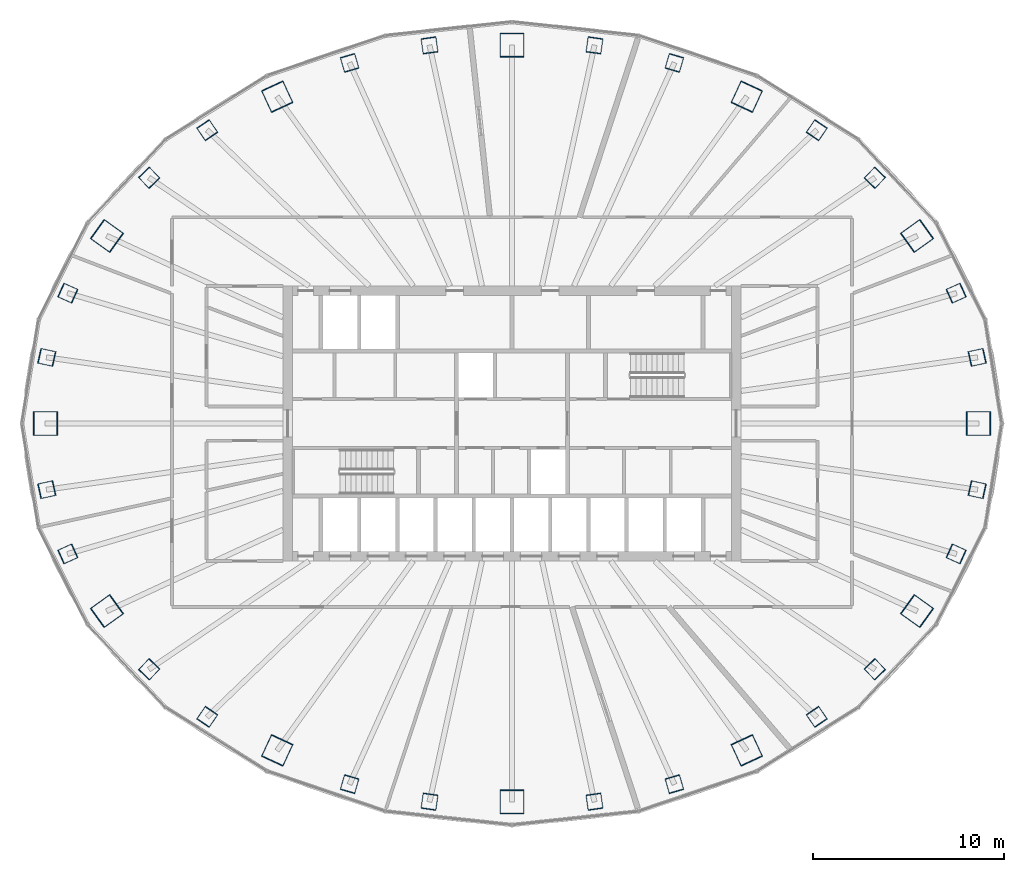
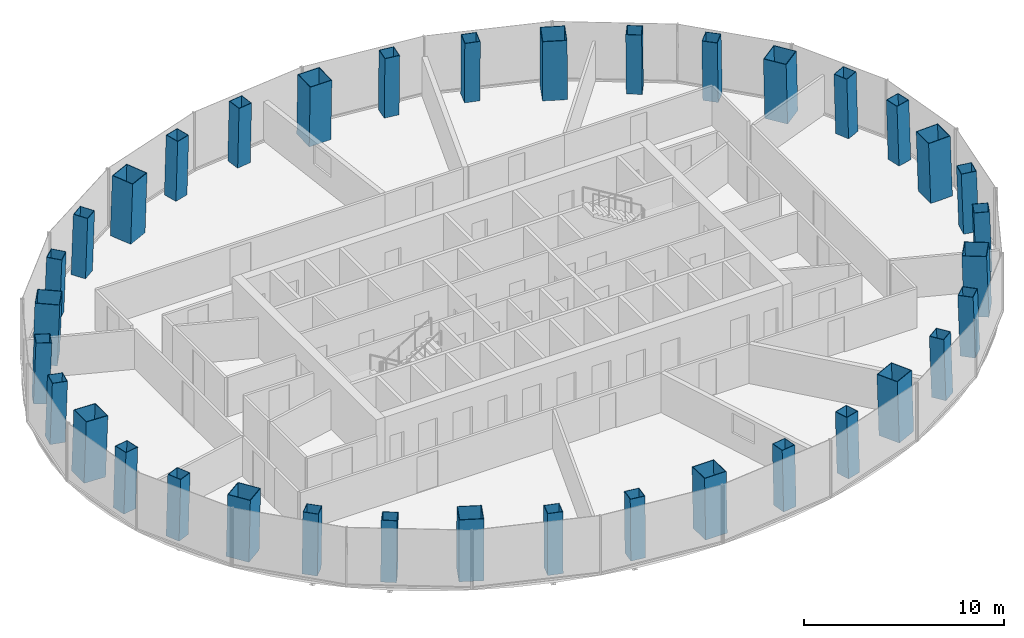
# One storey, part 1 of 12: 36 columns.
"""IFC4 building model written with IfcOpenShell, lengths in metres."""

from ifc_helpers import new_model, si_unit, direction, frame, origin, origin_2d, place, context, subcontext, project, spatial, hollow_rectangle, extrude, material, material_profile, profile_set, type_object, element, save


model = new_model("IFC4")

# Units and contexts
model_context = context("Model", 3, precision=1e-05, world=origin(), true_north=direction((0.0, 1.0)))
body_context = subcontext(model_context, "Body", "Model", "MODEL_VIEW")
ifc_project = project(units=[si_unit("LENGTHUNIT", "METRE"), si_unit("AREAUNIT", "SQUARE_METRE"), si_unit("VOLUMEUNIT", "CUBIC_METRE"), si_unit("PLANEANGLEUNIT", "RADIAN"), si_unit("MASSUNIT", "GRAM", prefix="KILO")], contexts=[model_context])

# Site, building, storey
site_placement = place(None, origin())
site = spatial("IfcSite", under=ifc_project, at=site_placement, CompositionType="ELEMENT")
building_placement = place(site_placement, origin())
building = spatial("IfcBuilding", under=site, at=building_placement, Name="Siaravel Broadcast Tower", CompositionType="ELEMENT")
storey_placement = place(building_placement, frame((0.0, 0.0, 115.60009765625)))
storey = spatial("IfcBuildingStorey", under=building, at=storey_placement, Name="L27", CompositionType="ELEMENT", Elevation=115.60009765625)

# Columns
ifc_material = material(Name="Concrete C60/75", Category="concrete")
ifc_material_profile_1 = material_profile(ifc_material, hollow_rectangle(XDim=1.25, YDim=1.25, WallThickness=0.031982421875, at=origin_2d()))
ifc_profile_set_1 = profile_set([ifc_material_profile_1], Name="Concrete C60/75")
column_type_1 = type_object("IfcColumnType", Name="COL-CFT BOX 1250x1250x32", PredefinedType="COLUMN", material=ifc_profile_set_1)
column_1_placement = place(storey_placement, frame((24.44140625, 0.0, 0.0), z_axis=(-0.034621265, 0.0, 0.999400504), x_axis=(0.0, -1.0, 0.0)))
element("IfcColumn", 1, at=column_1_placement, inside=storey, type_object=column_type_1, Name="Megacolumn MC01", PredefinedType="COLUMN", context=body_context, shape_type="SweptSolid", body=[
    extrude(hollow_rectangle(XDim=1.25, YDim=1.25, WallThickness=0.031982421875, at=origin_2d()), origin(), (0.0, 0.0, 1.0), 3.7021484375),
])
column_2_placement = place(storey_placement, frame((21.22021484375, 9.826904296875, 0.0), z_axis=(-0.029940667, -0.01417895, 0.999451106), x_axis=(0.583037614, -0.812423443, 0.005940484)))
element("IfcColumn", 2, at=column_2_placement, inside=storey, type_object=column_type_1, Name="Megacolumn MC02", PredefinedType="COLUMN", context=body_context, shape_type="SweptSolid", body=[
    extrude(hollow_rectangle(XDim=1.25, YDim=1.25, WallThickness=0.031982421875, at=origin_2d()), origin(), (0.0, 0.0, 1.0), 3.701904296875),
])
column_3_placement = place(storey_placement, frame((12.30029296875, 17.123779296875, 0.0), z_axis=(-0.017280237, -0.024535299, 0.999549605), x_axis=(0.907898487, -0.419155223, 0.005407038)))
element("IfcColumn", 3, at=column_3_placement, inside=storey, type_object=column_type_1, Name="Megacolumn MC03", PredefinedType="COLUMN", context=body_context, shape_type="SweptSolid", body=[
    extrude(hollow_rectangle(XDim=1.25, YDim=1.25, WallThickness=0.031982421875, at=origin_2d()), origin(), (0.0, 0.0, 1.0), 3.70166015625),
])
column_4_placement = place(storey_placement, frame((0.0, 19.8212890625, 0.0), z_axis=(0.0, -0.02836206, 0.999597716), x_axis=(1.0, 0.0, 0.0)))
element("IfcColumn", 4, at=column_4_placement, inside=storey, type_object=column_type_1, Name="Megacolumn MC04", PredefinedType="COLUMN", context=body_context, shape_type="SweptSolid", body=[
    extrude(hollow_rectangle(XDim=1.25, YDim=1.25, WallThickness=0.031982421875, at=origin_2d()), origin(), (0.0, 0.0, 1.0), 3.701416015625),
])
column_5_placement = place(storey_placement, frame((-12.30029296875, 17.123779296875, 0.0), z_axis=(0.017280237, -0.024535299, 0.999549605), x_axis=(0.907898487, 0.419155223, -0.005407038)))
element("IfcColumn", 5, at=column_5_placement, inside=storey, type_object=column_type_1, Name="Megacolumn MC05", PredefinedType="COLUMN", context=body_context, shape_type="SweptSolid", body=[
    extrude(hollow_rectangle(XDim=1.25, YDim=1.25, WallThickness=0.031982421875, at=origin_2d()), origin(), (0.0, 0.0, 1.0), 3.70166015625),
])
column_6_placement = place(storey_placement, frame((-21.22021484375, 9.826904296875, 0.0), z_axis=(0.029940667, -0.01417895, 0.999451106), x_axis=(0.583037614, 0.812423443, -0.005940484)))
element("IfcColumn", 6, at=column_6_placement, inside=storey, type_object=column_type_1, Name="Megacolumn MC06", PredefinedType="COLUMN", context=body_context, shape_type="SweptSolid", body=[
    extrude(hollow_rectangle(XDim=1.25, YDim=1.25, WallThickness=0.031982421875, at=origin_2d()), origin(), (0.0, 0.0, 1.0), 3.701904296875),
])
column_7_placement = place(storey_placement, frame((-24.44140625, 0.0, 0.0), z_axis=(0.034621265, 0.0, 0.999400504), x_axis=(0.0, 1.0, 0.0)))
element("IfcColumn", 7, at=column_7_placement, inside=storey, type_object=column_type_1, Name="Megacolumn MC07", PredefinedType="COLUMN", context=body_context, shape_type="SweptSolid", body=[
    extrude(hollow_rectangle(XDim=1.25, YDim=1.25, WallThickness=0.031982421875, at=origin_2d()), origin(), (0.0, 0.0, 1.0), 3.7021484375),
])
column_8_placement = place(storey_placement, frame((-21.22021484375, -9.826904296875, 0.0), z_axis=(0.029940667, 0.01417895, 0.999451106), x_axis=(-0.583037614, 0.812423443, 0.005940484)))
element("IfcColumn", 8, at=column_8_placement, inside=storey, type_object=column_type_1, Name="Megacolumn MC08", PredefinedType="COLUMN", context=body_context, shape_type="SweptSolid", body=[
    extrude(hollow_rectangle(XDim=1.25, YDim=1.25, WallThickness=0.031982421875, at=origin_2d()), origin(), (0.0, 0.0, 1.0), 3.701904296875),
])
column_9_placement = place(storey_placement, frame((-12.30029296875, -17.123779296875, 0.0), z_axis=(0.017280237, 0.024535299, 0.999549605), x_axis=(-0.907898487, 0.419155223, 0.005407038)))
element("IfcColumn", 9, at=column_9_placement, inside=storey, type_object=column_type_1, Name="Megacolumn MC09", PredefinedType="COLUMN", context=body_context, shape_type="SweptSolid", body=[
    extrude(hollow_rectangle(XDim=1.25, YDim=1.25, WallThickness=0.031982421875, at=origin_2d()), origin(), (0.0, 0.0, 1.0), 3.70166015625),
])
column_10_placement = place(storey_placement, frame((0.0, -19.8212890625, 0.0), z_axis=(0.0, 0.02836206, 0.999597716), x_axis=(-1.0, 0.0, 0.0)))
element("IfcColumn", 10, at=column_10_placement, inside=storey, type_object=column_type_1, Name="Megacolumn MC10", PredefinedType="COLUMN", context=body_context, shape_type="SweptSolid", body=[
    extrude(hollow_rectangle(XDim=1.25, YDim=1.25, WallThickness=0.031982421875, at=origin_2d()), origin(), (0.0, 0.0, 1.0), 3.701416015625),
])
column_11_placement = place(storey_placement, frame((12.30029296875, -17.123779296875, 0.0), z_axis=(-0.017280237, 0.024535299, 0.999549605), x_axis=(-0.907898487, -0.419155223, -0.005407038)))
element("IfcColumn", 11, at=column_11_placement, inside=storey, type_object=column_type_1, Name="Megacolumn MC11", PredefinedType="COLUMN", context=body_context, shape_type="SweptSolid", body=[
    extrude(hollow_rectangle(XDim=1.25, YDim=1.25, WallThickness=0.031982421875, at=origin_2d()), origin(), (0.0, 0.0, 1.0), 3.70166015625),
])
column_12_placement = place(storey_placement, frame((21.22021484375, -9.826904296875, 0.0), z_axis=(-0.029940667, 0.01417895, 0.999451106), x_axis=(-0.583037614, -0.812423443, -0.005940484)))
element("IfcColumn", 12, at=column_12_placement, inside=storey, type_object=column_type_1, Name="Megacolumn MC12", PredefinedType="COLUMN", context=body_context, shape_type="SweptSolid", body=[
    extrude(hollow_rectangle(XDim=1.25, YDim=1.25, WallThickness=0.031982421875, at=origin_2d()), origin(), (0.0, 0.0, 1.0), 3.701904296875),
])
ifc_material_profile_2 = material_profile(ifc_material, hollow_rectangle(XDim=0.800048828125, YDim=0.800048828125, WallThickness=0.02490234375, at=origin_2d()))
ifc_profile_set_2 = profile_set([ifc_material_profile_2], Name="Concrete C60/75")
column_type_2 = type_object("IfcColumnType", Name="COL-CFT BOX 800x800x25", PredefinedType="COLUMN", material=ifc_profile_set_2)
for number, where, z_axis, x_axis, name in (
    (13, (24.37109375, 3.464599609375, 0.0), (-0.034028034, -0.004945935, 0.99940864), (0.213465767, -0.976947514, 0.00243334), "Perimeter column C01"),
    (14, (23.27001953125, 6.83056640625, 0.0), (-0.032577668, -0.009694164, 0.999422192), (0.409379656, -0.912353054, 0.004494731), "Perimeter column C02"),
):
    element("IfcColumn", number, at=place(storey_placement, frame(where, z_axis=z_axis, x_axis=x_axis)), inside=storey, type_object=column_type_2, Name=name, PredefinedType="COLUMN", context=body_context, shape_type="SweptSolid", body=[
        extrude(hollow_rectangle(XDim=0.800048828125, YDim=0.800048828125, WallThickness=0.02490234375, at=origin_2d()), origin(), (0.0, 0.0, 1.0), 3.7021484375),
    ])
column_13_placement = place(storey_placement, frame((19.0068359375, 12.87548828125, 0.0), z_axis=(-0.026512179, -0.018202391, 0.999482755), x_axis=(0.719850632, -0.694098995, 0.006453885)))
element("IfcColumn", 15, at=column_13_placement, inside=storey, type_object=column_type_2, Name="Perimeter column C03", PredefinedType="COLUMN", context=body_context, shape_type="SweptSolid", body=[
    extrude(hollow_rectangle(XDim=0.800048828125, YDim=0.800048828125, WallThickness=0.02490234375, at=origin_2d()), origin(), (0.0, 0.0, 1.0), 3.701904296875),
])
column_14_placement = place(storey_placement, frame((15.964599609375, 15.3671875, 0.0), z_axis=(-0.022292076, -0.0216985, 0.999516002), x_axis=(0.827186848, -0.561892205, 0.006250519)))
element("IfcColumn", 16, at=column_14_placement, inside=storey, type_object=column_type_2, Name="Perimeter column C04", PredefinedType="COLUMN", context=body_context, shape_type="SweptSolid", body=[
    extrude(hollow_rectangle(XDim=0.800048828125, YDim=0.800048828125, WallThickness=0.02490234375, at=origin_2d()), origin(), (0.0, 0.0, 1.0), 3.70166015625),
])
for number, where, z_axis, x_axis, name in (
    (17, (8.507080078125, 18.892822265625, 0.0), (-0.011806266, -0.026646544, 0.999575197), (0.959994433, -0.279992277, 0.003874769), "Perimeter column C05"),
    (18, (4.32080078125, 19.8115234375, 0.0), (-0.006002173, -0.027900212, 0.999592693), (0.990125466, -0.140169284, 0.00203298), "Perimeter column C06"),
    (19, (-4.32080078125, 19.8115234375, 0.0), (0.006002173, -0.027900212, 0.999592693), (0.990125466, 0.140169284, -0.00203298), "Perimeter column C07"),
    (20, (-8.507080078125, 18.892822265625, 0.0), (0.011806266, -0.026646544, 0.999575197), (0.959994433, 0.279992277, -0.003874769), "Perimeter column C08"),
):
    element("IfcColumn", number, at=place(storey_placement, frame(where, z_axis=z_axis, x_axis=x_axis)), inside=storey, type_object=column_type_2, Name=name, PredefinedType="COLUMN", context=body_context, shape_type="SweptSolid", body=[
        extrude(hollow_rectangle(XDim=0.800048828125, YDim=0.800048828125, WallThickness=0.02490234375, at=origin_2d()), origin(), (0.0, 0.0, 1.0), 3.701416015625),
    ])
column_15_placement = place(storey_placement, frame((-15.964599609375, 15.3671875, 0.0), z_axis=(0.022292076, -0.0216985, 0.999516002), x_axis=(0.827186848, 0.561892205, -0.006250519)))
element("IfcColumn", 21, at=column_15_placement, inside=storey, type_object=column_type_2, Name="Perimeter column C09", PredefinedType="COLUMN", context=body_context, shape_type="SweptSolid", body=[
    extrude(hollow_rectangle(XDim=0.800048828125, YDim=0.800048828125, WallThickness=0.02490234375, at=origin_2d()), origin(), (0.0, 0.0, 1.0), 3.70166015625),
])
column_16_placement = place(storey_placement, frame((-19.0068359375, 12.87548828125, 0.0), z_axis=(0.026512179, -0.018202391, 0.999482755), x_axis=(0.719850632, 0.694098995, -0.006453885)))
element("IfcColumn", 22, at=column_16_placement, inside=storey, type_object=column_type_2, Name="Perimeter column C10", PredefinedType="COLUMN", context=body_context, shape_type="SweptSolid", body=[
    extrude(hollow_rectangle(XDim=0.800048828125, YDim=0.800048828125, WallThickness=0.02490234375, at=origin_2d()), origin(), (0.0, 0.0, 1.0), 3.701904296875),
])
for number, where, z_axis, x_axis, name in (
    (23, (-23.27001953125, 6.83056640625, 0.0), (0.032577668, -0.009694164, 0.999422192), (0.409379656, 0.912353054, -0.004494731), "Perimeter column C11"),
    (24, (-24.37109375, 3.464599609375, 0.0), (0.034028034, -0.004945935, 0.99940864), (0.213465767, 0.976947514, -0.00243334), "Perimeter column C12"),
    (25, (-24.37109375, -3.464599609375, 0.0), (0.034028034, 0.004945935, 0.99940864), (-0.213465767, 0.976947514, 0.00243334), "Perimeter column C13"),
    (26, (-23.27001953125, -6.83056640625, 0.0), (0.032577668, 0.009694164, 0.999422192), (-0.409379656, 0.912353054, 0.004494731), "Perimeter column C14"),
):
    element("IfcColumn", number, at=place(storey_placement, frame(where, z_axis=z_axis, x_axis=x_axis)), inside=storey, type_object=column_type_2, Name=name, PredefinedType="COLUMN", context=body_context, shape_type="SweptSolid", body=[
        extrude(hollow_rectangle(XDim=0.800048828125, YDim=0.800048828125, WallThickness=0.02490234375, at=origin_2d()), origin(), (0.0, 0.0, 1.0), 3.7021484375),
    ])
column_17_placement = place(storey_placement, frame((-19.0068359375, -12.87548828125, 0.0), z_axis=(0.026512179, 0.018202391, 0.999482755), x_axis=(-0.719850632, 0.694098995, 0.006453885)))
element("IfcColumn", 27, at=column_17_placement, inside=storey, type_object=column_type_2, Name="Perimeter column C15", PredefinedType="COLUMN", context=body_context, shape_type="SweptSolid", body=[
    extrude(hollow_rectangle(XDim=0.800048828125, YDim=0.800048828125, WallThickness=0.02490234375, at=origin_2d()), origin(), (0.0, 0.0, 1.0), 3.701904296875),
])
column_18_placement = place(storey_placement, frame((-15.964599609375, -15.3671875, 0.0), z_axis=(0.022292076, 0.0216985, 0.999516002), x_axis=(-0.827186848, 0.561892205, 0.006250519)))
element("IfcColumn", 28, at=column_18_placement, inside=storey, type_object=column_type_2, Name="Perimeter column C16", PredefinedType="COLUMN", context=body_context, shape_type="SweptSolid", body=[
    extrude(hollow_rectangle(XDim=0.800048828125, YDim=0.800048828125, WallThickness=0.02490234375, at=origin_2d()), origin(), (0.0, 0.0, 1.0), 3.70166015625),
])
for number, where, z_axis, x_axis, name in (
    (29, (-8.507080078125, -18.892822265625, 0.0), (0.011806266, 0.026646544, 0.999575197), (-0.959994433, 0.279992277, 0.003874769), "Perimeter column C17"),
    (30, (-4.32080078125, -19.8115234375, 0.0), (0.006002173, 0.027900212, 0.999592693), (-0.990125466, 0.140169284, 0.00203298), "Perimeter column C18"),
    (31, (4.32080078125, -19.8115234375, 0.0), (-0.006002173, 0.027900212, 0.999592693), (-0.990125466, -0.140169284, -0.00203298), "Perimeter column C19"),
    (32, (8.507080078125, -18.892822265625, 0.0), (-0.011806266, 0.026646544, 0.999575197), (-0.959994433, -0.279992277, -0.003874769), "Perimeter column C20"),
):
    element("IfcColumn", number, at=place(storey_placement, frame(where, z_axis=z_axis, x_axis=x_axis)), inside=storey, type_object=column_type_2, Name=name, PredefinedType="COLUMN", context=body_context, shape_type="SweptSolid", body=[
        extrude(hollow_rectangle(XDim=0.800048828125, YDim=0.800048828125, WallThickness=0.02490234375, at=origin_2d()), origin(), (0.0, 0.0, 1.0), 3.701416015625),
    ])
column_19_placement = place(storey_placement, frame((15.964599609375, -15.3671875, 0.0), z_axis=(-0.022292076, 0.0216985, 0.999516002), x_axis=(-0.827186848, -0.561892205, -0.006250519)))
element("IfcColumn", 33, at=column_19_placement, inside=storey, type_object=column_type_2, Name="Perimeter column C21", PredefinedType="COLUMN", context=body_context, shape_type="SweptSolid", body=[
    extrude(hollow_rectangle(XDim=0.800048828125, YDim=0.800048828125, WallThickness=0.02490234375, at=origin_2d()), origin(), (0.0, 0.0, 1.0), 3.70166015625),
])
column_20_placement = place(storey_placement, frame((19.0068359375, -12.87548828125, 0.0), z_axis=(-0.026512179, 0.018202391, 0.999482755), x_axis=(-0.719850632, -0.694098995, -0.006453885)))
element("IfcColumn", 34, at=column_20_placement, inside=storey, type_object=column_type_2, Name="Perimeter column C22", PredefinedType="COLUMN", context=body_context, shape_type="SweptSolid", body=[
    extrude(hollow_rectangle(XDim=0.800048828125, YDim=0.800048828125, WallThickness=0.02490234375, at=origin_2d()), origin(), (0.0, 0.0, 1.0), 3.701904296875),
])
for number, where, z_axis, x_axis, name in (
    (35, (23.27001953125, -6.83056640625, 0.0), (-0.032577668, 0.009694164, 0.999422192), (-0.409379656, -0.912353054, -0.004494731), "Perimeter column C23"),
    (36, (24.37109375, -3.464599609375, 0.0), (-0.034028034, 0.004945935, 0.99940864), (-0.213465767, -0.976947514, -0.00243334), "Perimeter column C24"),
):
    element("IfcColumn", number, at=place(storey_placement, frame(where, z_axis=z_axis, x_axis=x_axis)), inside=storey, type_object=column_type_2, Name=name, PredefinedType="COLUMN", context=body_context, shape_type="SweptSolid", body=[
        extrude(hollow_rectangle(XDim=0.800048828125, YDim=0.800048828125, WallThickness=0.02490234375, at=origin_2d()), origin(), (0.0, 0.0, 1.0), 3.7021484375),
    ])

save(model, "model.ifc")
